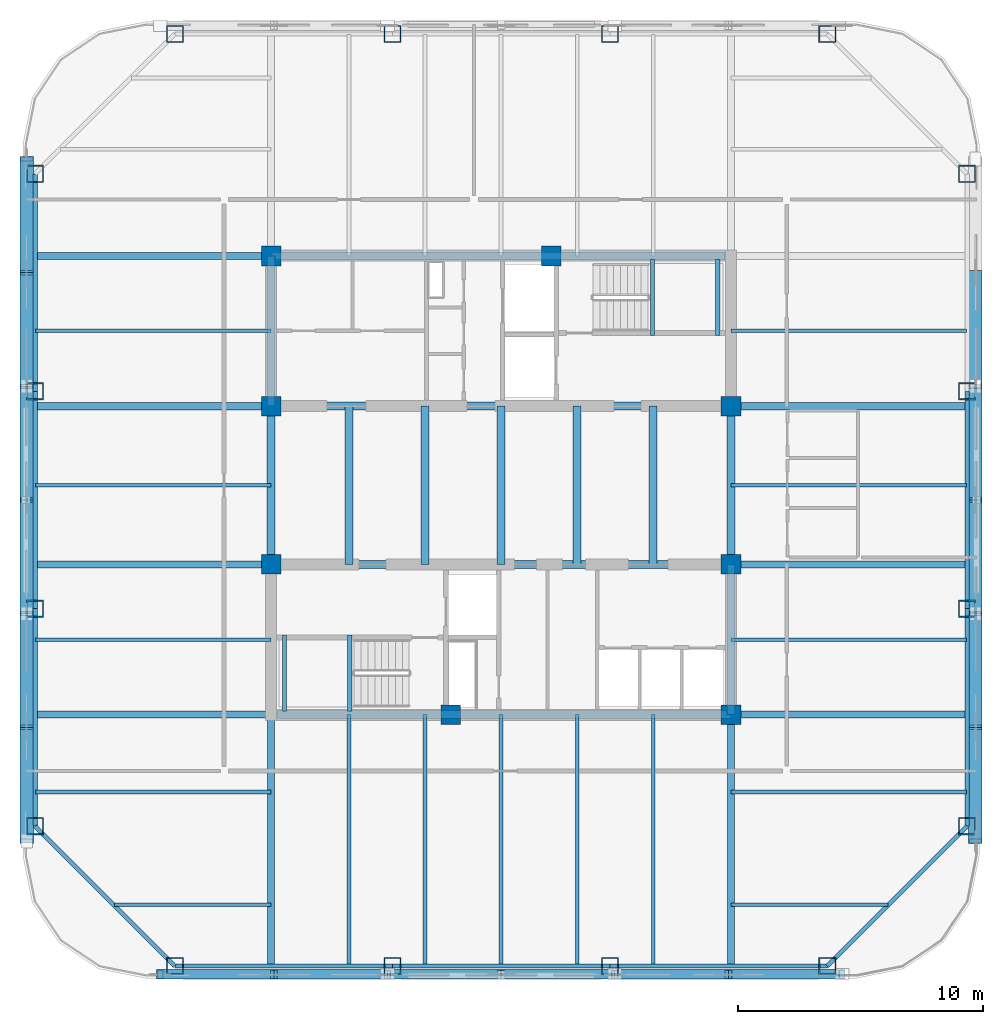
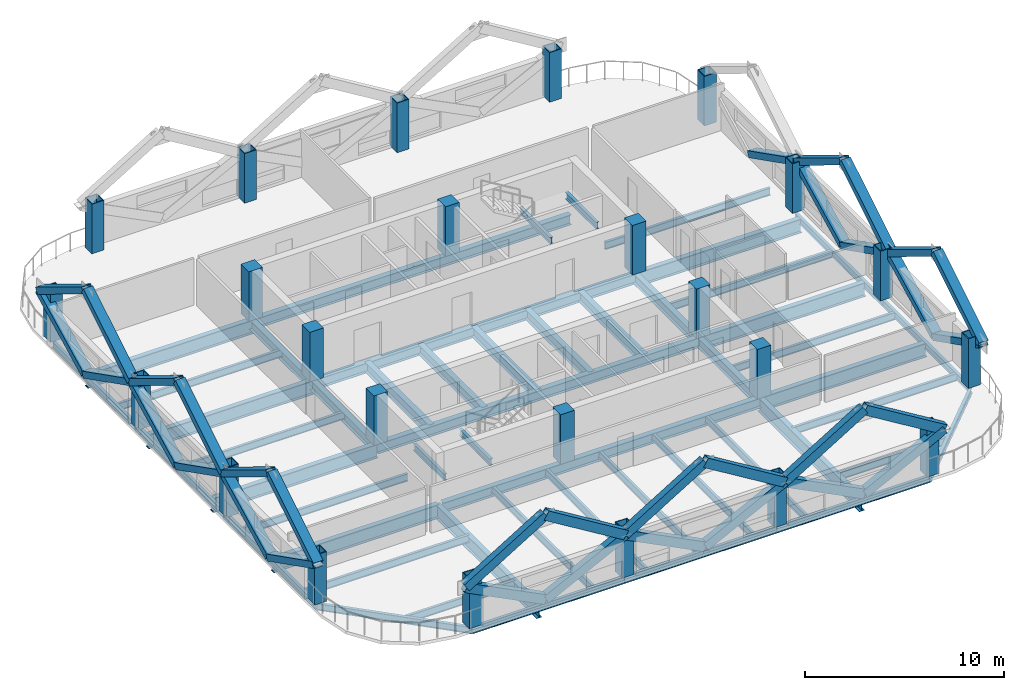
# One storey, part 1 of 9: 51 beams, 33 members, 24 columns.
"""IFC4 building model written with IfcOpenShell, lengths in metres."""

import ifcopenshell
import ifcopenshell.guid

model = None  # the IFC model being written
_history = None  # IfcOwnerHistory: only IFC2X3 demands one
_inside = {}  # id of a spatial element -> (the spatial element, [elements in it])
_under = {}  # id of a project, library or spatial element -> (it, [spatial elements below it])
_declared = {}  # id of a project -> (the project, [libraries it declares])
_typed = {}  # id of a type object -> (the type object, [elements of that type])
_made_of = {}  # id of a material, layer set ... -> (it, [elements and type objects made of it])


def new_model(schema):
    """Start an empty IFC model of exactly this schema.

    Asked for "IFC4X3", IfcOpenShell would pick the latest addendum, in which some entities
    have other attributes; the version numbers below select the first issue.
    IFC2X3 requires an IfcOwnerHistory on every rooted entity: one is made here for all.
    """
    global model, _history
    if schema == "IFC4X3":
        model = ifcopenshell.file(schema_version=(4, 3, 0, 0))
    else:
        model = ifcopenshell.file(schema=schema)
    _inside.clear()
    _under.clear()
    _declared.clear()
    _typed.clear()
    _made_of.clear()
    _history = None
    if model.schema == "IFC2X3":
        org = make("IfcOrganization", Name="unknown")
        user = make(
            "IfcPersonAndOrganization",
            ThePerson=make("IfcPerson", FamilyName="unknown"),
            TheOrganization=org,
        )
        app = make(
            "IfcApplication",
            ApplicationDeveloper=org,
            Version="unknown",
            ApplicationFullName="unknown",
            ApplicationIdentifier="unknown",
        )
        _history = make(
            "IfcOwnerHistory",
            OwningUser=user,
            OwningApplication=app,
            ChangeAction="ADDED",
            CreationDate=0,
        )
    return model


def make(cls, **values):
    """One entity of the class cls with the attributes given. An attribute that is None is left unset."""
    return model.create_entity(
        cls, **{name: value for name, value in values.items() if value is not None}
    )


def rooted(cls, **values):
    """An entity with a GlobalId (a new one), such as an element, a storey or a relation."""
    return make(cls, GlobalId=ifcopenshell.guid.new(), OwnerHistory=_history, **values)


def si_unit(unit_type, name, prefix=None):
    """IfcSIUnit, for example si_unit("LENGTHUNIT", "METRE", prefix="MILLI")."""
    return make("IfcSIUnit", UnitType=unit_type, Prefix=prefix, Name=name)


def assignment(units):
    """IfcUnitAssignment: the units of a project."""
    return None if units is None else make("IfcUnitAssignment", Units=units)


def point(xyz):
    """IfcCartesianPoint."""
    return None if xyz is None else make("IfcCartesianPoint", Coordinates=xyz)


def direction(xyz):
    """IfcDirection."""
    return None if xyz is None else make("IfcDirection", DirectionRatios=xyz)


def frame(location, z_axis=None, x_axis=None):
    """IfcAxis2Placement3D, a coordinate frame: its origin and axes. An axis left out is left unset."""
    return make(
        "IfcAxis2Placement3D",
        Location=point(location),
        Axis=direction(z_axis),
        RefDirection=direction(x_axis),
    )


def frame_2d(location, x_axis=None):
    """IfcAxis2Placement2D, a coordinate frame in the plane: its origin and x axis."""
    return make(
        "IfcAxis2Placement2D", Location=point(location), RefDirection=direction(x_axis)
    )


def origin():
    """The frame at (0, 0, 0) with its axes left unset."""
    return frame((0.0, 0.0, 0.0))


def origin_2d():
    """The frame at (0, 0) in the plane with its x axis left unset."""
    return frame_2d((0.0, 0.0))


def place(relative_to, where):
    """IfcLocalPlacement: puts the frame where relative to a parent placement (None: the world)."""
    return make(
        "IfcLocalPlacement", PlacementRelTo=relative_to, RelativePlacement=where
    )


def context(
    kind, dimensions, precision=None, world=None, true_north=None, identifier=None
):
    """IfcGeometricRepresentationContext, for example the 3D "Model" context."""
    return make(
        "IfcGeometricRepresentationContext",
        ContextIdentifier=identifier,
        ContextType=kind,
        CoordinateSpaceDimension=dimensions,
        Precision=precision,
        WorldCoordinateSystem=world,
        TrueNorth=true_north,
    )


def subcontext(parent, identifier, kind, view, scale=None):
    """IfcGeometricRepresentationSubContext, for example "Body" below "Model"."""
    return make(
        "IfcGeometricRepresentationSubContext",
        ContextIdentifier=identifier,
        ContextType=kind,
        ParentContext=parent,
        TargetScale=scale,
        TargetView=view,
    )


def project(units=None, contexts=None):
    """IfcProject with its units and contexts."""
    return rooted(
        "IfcProject",
        Name="project",
        RepresentationContexts=contexts,
        UnitsInContext=assignment(units),
    )


def spatial(cls, under=None, at=None, **own):
    """A site, building, storey or space (cls), placed at a placement, below another one or the project."""
    s = rooted(cls, ObjectPlacement=at, **own)
    if under is not None:
        _under.setdefault(under.id(), (under, []))[1].append(s)
    return s


def profile(cls, at=None, kind="AREA", **sizes):
    """A parametric profile (cls). Its sizes go by their IFC names, for example OverallWidth=200.0."""
    return make(cls, ProfileType=kind, Position=at, **sizes)


def rectangle(**sizes):
    """IfcRectangleProfileDef."""
    return profile("IfcRectangleProfileDef", **sizes)


def hollow_rectangle(**sizes):
    """IfcRectangleHollowProfileDef."""
    return profile("IfcRectangleHollowProfileDef", **sizes)


def i_section(**sizes):
    """IfcIShapeProfileDef."""
    return profile("IfcIShapeProfileDef", **sizes)


def extrude(swept, where, along, depth):
    """IfcExtrudedAreaSolid: the profile swept, set in the frame where, extruded along a direction by depth."""
    return make(
        "IfcExtrudedAreaSolid",
        SweptArea=swept,
        Position=where,
        ExtrudedDirection=direction(along),
        Depth=depth,
    )


def shape(context_of_items, identifier, shape_type, items):
    """IfcShapeRepresentation: the items that make up one representation, for example the "Body"."""
    return make(
        "IfcShapeRepresentation",
        ContextOfItems=context_of_items,
        RepresentationIdentifier=identifier,
        RepresentationType=shape_type,
        Items=items,
    )


def material(Name=None, Category=None):
    """IfcMaterial."""
    return make("IfcMaterial", Name=Name, Category=Category)


def material_profile(
    of_material, cross_section, Name=None, Category=None, Priority=None
):
    """IfcMaterialProfile: a cross section and its material."""
    return make(
        "IfcMaterialProfile",
        Name=Name,
        Material=of_material,
        Profile=cross_section,
        Priority=Priority,
        Category=Category,
    )


def profile_set(profiles, Name=None, composite=None):
    """IfcMaterialProfileSet."""
    return make(
        "IfcMaterialProfileSet",
        Name=Name,
        MaterialProfiles=profiles,
        CompositeProfile=composite,
    )


def made_of(thing, what):
    """Note that an element or type object is made of a material, layer set ...; save() writes the relation."""
    if what is not None:
        _made_of.setdefault(what.id(), (what, []))[1].append(thing)
    return thing


def type_object(cls, material=None, **own):
    """A type object (cls), such as IfcWallType, which elements share."""
    return made_of(rooted(cls, **own), material)


def element(
    cls,
    number,
    at=None,
    inside=None,
    cuts=None,
    type_object=None,
    material=None,
    context=None,
    identifier="Body",
    shape_type=None,
    held_by="IfcProductDefinitionShape",
    body=None,
    shapes=None,
    **own,
):
    """One element of the class cls, such as IfcWall. Its Tag is "e" and its number.

    at: its placement. inside: the storey or other place that contains it. cuts: it is an
    opening in that element (IfcRelVoidsElement). A single representation is given by context,
    identifier, shape_type and body (its items); several are given by shapes. held_by: the class
    of the entity that holds the representations. save() writes the other relations.
    """
    e = rooted(cls, Tag="e%d" % number, ObjectPlacement=at, **own)
    if body is not None:
        shapes = [shape(context, identifier, shape_type, body)]
    if shapes is not None:
        e.Representation = make(held_by, Representations=shapes)
    if inside is not None:
        _inside.setdefault(inside.id(), (inside, []))[1].append(e)
    if cuts is not None:
        rooted(
            "IfcRelVoidsElement", RelatingBuildingElement=cuts, RelatedOpeningElement=e
        )
    if type_object is not None:
        _typed.setdefault(type_object.id(), (type_object, []))[1].append(e)
    return made_of(e, material)


def aggregate(whole, parts):
    """IfcRelAggregates: a whole, such as a stair, and the parts it consists of."""
    return rooted("IfcRelAggregates", RelatingObject=whole, RelatedObjects=parts)


def save(model, path):
    """Write the relations noted so far, then the file.

    IfcRelAggregates (storeys below a building ...), IfcRelContainedInSpatialStructure (elements
    in a storey), IfcRelDefinesByType, IfcRelAssociatesMaterial and IfcRelDeclares: one each for
    every whole, place, type object, material and project.
    """
    for whole, parts in _under.values():
        aggregate(whole, parts)
    for where, things in _inside.values():
        rooted(
            "IfcRelContainedInSpatialStructure",
            RelatedElements=things,
            RelatingStructure=where,
        )
    for kind, things in _typed.values():
        rooted("IfcRelDefinesByType", RelatedObjects=things, RelatingType=kind)
    for what, things in _made_of.values():
        rooted("IfcRelAssociatesMaterial", RelatedObjects=things, RelatingMaterial=what)
    for by, libraries in _declared.values():
        rooted("IfcRelDeclares", RelatingContext=by, RelatedDefinitions=libraries)
    model.write(path)


model = new_model("IFC4")

# Units and contexts
model_context = context("Model", 3, precision=1e-05, world=origin(), true_north=direction((0.0, 1.0)))
body_context = subcontext(model_context, "Body", "Model", "MODEL_VIEW")
ifc_project = project(units=[si_unit("LENGTHUNIT", "METRE"), si_unit("AREAUNIT", "SQUARE_METRE"), si_unit("VOLUMEUNIT", "CUBIC_METRE"), si_unit("PLANEANGLEUNIT", "RADIAN"), si_unit("MASSUNIT", "GRAM", prefix="KILO")], contexts=[model_context])

# Site, building, storey
site_placement = place(None, origin())
site = spatial("IfcSite", under=ifc_project, at=site_placement, CompositionType="ELEMENT")
building_placement = place(site_placement, origin())
building = spatial("IfcBuilding", under=site, at=building_placement, Name="Qhalaya Broadcast Tower", CompositionType="ELEMENT")
storey_placement = place(building_placement, frame((0.0, 0.0, 205.60009765625)))
storey = spatial("IfcBuildingStorey", under=building, at=storey_placement, Name="L60", CompositionType="ELEMENT", Elevation=205.60009765625)

# Columns
ifc_material_1 = material(Name="Concrete C50/60", Category="concrete")
ifc_material_profile_1 = material_profile(ifc_material_1, rectangle(XDim=0.800048828125, YDim=0.800048828125, at=origin_2d()), Name="RC-COL 800x800")
ifc_profile_set_1 = profile_set([ifc_material_profile_1], Name="Concrete C50/60")
column_type_1 = type_object("IfcColumnType", Name="RC Upper Column C10", PredefinedType="COLUMN", material=ifc_profile_set_1)
for number, where, z_axis, x_axis, name in (
    (1, (-9.375, 9.949951171875, 0.0), (0.0, 0.0, 1.0), (1.0, 0.0, 0.0), "L60 Column COL-CC1"),
    (2, (2.050048828125, 9.949951171875, 0.0), (0.0, 0.0, 1.0), (1.0, 0.0, 0.0), "L60 Column COL-CC2"),
    (3, (-9.375, 3.824951171875, 0.0), (0.0, 0.0, 1.0), (1.0, 0.0, 0.0), "L60 Column COL-CC3"),
    (4, (9.375, 3.824951171875, 0.0), (0.0, 0.0, 1.0), (1.0, 0.0, 0.0), "L60 Column COL-CC4"),
    (5, (-9.375, -2.625, 0.0), (0.0, 0.0, 1.0), (1.0, 0.0, 0.0), "L60 Column COL-CC5"),
    (6, (9.375, -2.625, 0.0), (0.0, 0.0, 1.0), (1.0, 0.0, 0.0), "L60 Column COL-CC6"),
    (7, (-2.050048828125, -8.75, 0.0), (0.0, 0.0, 1.0), (1.0, 0.0, 0.0), "L60 Column COL-CC7"),
    (8, (9.375, -8.75, 0.0), (0.0, 0.0, 1.0), (1.0, 0.0, 0.0), "L60 Column COL-CC8"),
):
    element("IfcColumn", number, at=place(storey_placement, frame(where, z_axis=z_axis, x_axis=x_axis)), inside=storey, type_object=column_type_1, Name=name, PredefinedType="COLUMN", context=body_context, shape_type="SweptSolid", body=[
        extrude(rectangle(XDim=0.800048828125, YDim=0.800048828125, at=origin_2d()), origin(), (0.0, 0.0, 1.0), 3.0498046875),
    ])
ifc_material_2 = material(Name="Structural Steel ASTM A572 Grade 50", Category="steel")
ifc_material_profile_2 = material_profile(ifc_material_2, hollow_rectangle(XDim=0.699951171875, YDim=0.699951171875, WallThickness=0.044921875, at=origin_2d()), Name="BOX 700x700x45")
ifc_profile_set_2 = profile_set([ifc_material_profile_2], Name="Structural Steel ASTM A572 Grade 50")
column_type_2 = type_object("IfcColumnType", Name="Steel Box Column C04", PredefinedType="COLUMN", material=ifc_profile_set_2)
for number, where, z_axis, x_axis, name in (
    (9, (-13.300048828125, -19.0, 0.0), (0.0, 0.0, 1.0), (1.0, 0.0, 0.0), "L60 Column COL-EX01"),
    (10, (-4.433349609375, -19.0, 0.0), (0.0, 0.0, 1.0), (1.0, 0.0, 0.0), "L60 Column COL-EX02"),
    (11, (4.433349609375, -19.0, 0.0), (0.0, 0.0, 1.0), (1.0, 0.0, 0.0), "L60 Column COL-EX03"),
    (12, (13.300048828125, -19.0, 0.0), (0.0, 0.0, 1.0), (1.0, 0.0, 0.0), "L60 Column COL-EX04"),
    (13, (19.0, -13.300048828125, 0.0), (0.0, 0.0, 1.0), (0.0, 1.0, 0.0), "L60 Column COL-EX05"),
    (14, (19.0, -4.433349609375, 0.0), (0.0, 0.0, 1.0), (0.0, 1.0, 0.0), "L60 Column COL-EX06"),
    (15, (19.0, 4.433349609375, 0.0), (0.0, 0.0, 1.0), (0.0, 1.0, 0.0), "L60 Column COL-EX07"),
    (16, (19.0, 13.300048828125, 0.0), (0.0, 0.0, 1.0), (0.0, 1.0, 0.0), "L60 Column COL-EX08"),
    (17, (13.300048828125, 19.0, 0.0), (0.0, 0.0, 1.0), (1.0, 0.0, 0.0), "L60 Column COL-EX09"),
    (18, (4.433349609375, 19.0, 0.0), (0.0, 0.0, 1.0), (1.0, 0.0, 0.0), "L60 Column COL-EX10"),
    (19, (-4.433349609375, 19.0, 0.0), (0.0, 0.0, 1.0), (1.0, 0.0, 0.0), "L60 Column COL-EX11"),
    (20, (-13.300048828125, 19.0, 0.0), (0.0, 0.0, 1.0), (1.0, 0.0, 0.0), "L60 Column COL-EX12"),
    (21, (-19.0, 13.300048828125, 0.0), (0.0, 0.0, 1.0), (0.0, 1.0, 0.0), "L60 Column COL-EX13"),
    (22, (-19.0, 4.433349609375, 0.0), (0.0, 0.0, 1.0), (0.0, 1.0, 0.0), "L60 Column COL-EX14"),
    (23, (-19.0, -4.433349609375, 0.0), (0.0, 0.0, 1.0), (0.0, 1.0, 0.0), "L60 Column COL-EX15"),
    (24, (-19.0, -13.300048828125, 0.0), (0.0, 0.0, 1.0), (0.0, 1.0, 0.0), "L60 Column COL-EX16"),
):
    element("IfcColumn", number, at=place(storey_placement, frame(where, z_axis=z_axis, x_axis=x_axis)), inside=storey, type_object=column_type_2, Name=name, PredefinedType="COLUMN", context=body_context, shape_type="SweptSolid", body=[
        extrude(hollow_rectangle(XDim=0.699951171875, YDim=0.699951171875, WallThickness=0.044921875, at=origin_2d()), origin(), (0.0, 0.0, 1.0), 3.0498046875),
    ])

# Beams
ifc_material_3 = material(Name="Structural Steel ASTM A992 Grade 50", Category="steel")
ifc_material_profile_3 = material_profile(ifc_material_3, i_section(OverallWidth=0.154052734375, OverallDepth=0.458984375, WebThickness=0.009033203125, FlangeThickness=0.015380859375, at=origin_2d()), Name="W18X46")
ifc_profile_set_3 = profile_set([ifc_material_profile_3], Name="Structural Steel ASTM A992 Grade 50")
beam_type_1 = type_object("IfcBeamType", Name="Composite Floor Joist J04", PredefinedType="JOIST", material=ifc_profile_set_3)
for number, where, z_axis, x_axis, name in (
    (25, (-6.199951171875, -18.97998046875, -0.419677734375), (0.0, 1.0, 0.0), (-1.0, 0.0, 0.0), "L60 J04 L60-JNS1-1"),
    (26, (-3.10009765625, -18.97998046875, -0.419677734375), (0.0, 1.0, 0.0), (-1.0, 0.0, 0.0), "L60 J04 L60-JNS2-1"),
    (27, (0.0, -18.97998046875, -0.419677734375), (0.0, 1.0, 0.0), (-1.0, 0.0, 0.0), "L60 J04 L60-JNS3-1"),
    (28, (3.10009765625, -18.97998046875, -0.419677734375), (0.0, 1.0, 0.0), (-1.0, 0.0, 0.0), "L60 J04 L60-JNS4-1"),
    (29, (6.199951171875, -18.97998046875, -0.419677734375), (0.0, 1.0, 0.0), (-1.0, 0.0, 0.0), "L60 J04 L60-JNS5-1"),
):
    element("IfcBeam", number, at=place(storey_placement, frame(where, z_axis=z_axis, x_axis=x_axis)), inside=storey, type_object=beam_type_1, Name=name, PredefinedType="JOIST", context=body_context, shape_type="SweptSolid", body=[
        extrude(i_section(OverallWidth=0.154052734375, OverallDepth=0.458984375, WebThickness=0.009033203125, FlangeThickness=0.015380859375, at=origin_2d()), origin(), (0.0, 0.0, 1.0), 10.22998046875),
    ])
for number, where, z_axis, x_axis, name in (
    (30, (-15.771728515625, -16.5, -0.419677734375), (1.0, 0.0, 0.0), (0.0, 1.0, 0.0), "L60 J04 L60-JWE1W-1"),
    (31, (9.375, -16.5, -0.419677734375), (1.0, 0.0, 0.0), (0.0, 1.0, 0.0), "L60 J04 L60-JWE1E-1"),
):
    element("IfcBeam", number, at=place(storey_placement, frame(where, z_axis=z_axis, x_axis=x_axis)), inside=storey, type_object=beam_type_1, Name=name, PredefinedType="JOIST", context=body_context, shape_type="SweptSolid", body=[
        extrude(i_section(OverallWidth=0.154052734375, OverallDepth=0.458984375, WebThickness=0.009033203125, FlangeThickness=0.015380859375, at=origin_2d()), origin(), (0.0, 0.0, 1.0), 6.396728515625),
    ])
for number, where, z_axis, x_axis, name in (
    (32, (-18.97998046875, -11.89990234375, -0.419677734375), (1.0, 0.0, 0.0), (0.0, 1.0, 0.0), "L60 J04 L60-JWE2W-1"),
    (33, (9.375, -11.89990234375, -0.419677734375), (1.0, 0.0, 0.0), (0.0, 1.0, 0.0), "L60 J04 L60-JWE2E-1"),
    (34, (-18.97998046875, -5.699951171875, -0.419677734375), (1.0, 0.0, 0.0), (0.0, 1.0, 0.0), "L60 J04 L60-JWE3W-1"),
    (35, (9.375, -5.699951171875, -0.419677734375), (1.0, 0.0, 0.0), (0.0, 1.0, 0.0), "L60 J04 L60-JWE3E-1"),
    (36, (-18.97998046875, 0.60009765625, -0.419677734375), (1.0, 0.0, 0.0), (0.0, 1.0, 0.0), "L60 J04 L60-JWE4W-1"),
    (37, (9.375, 0.60009765625, -0.419677734375), (1.0, 0.0, 0.0), (0.0, 1.0, 0.0), "L60 J04 L60-JWE4E-1"),
    (38, (-18.97998046875, 6.89990234375, -0.419677734375), (1.0, 0.0, 0.0), (0.0, 1.0, 0.0), "L60 J04 L60-JWE5W-1"),
    (39, (9.375, 6.89990234375, -0.419677734375), (1.0, 0.0, 0.0), (0.0, 1.0, 0.0), "L60 J04 L60-JWE5E-1"),
):
    element("IfcBeam", number, at=place(storey_placement, frame(where, z_axis=z_axis, x_axis=x_axis)), inside=storey, type_object=beam_type_1, Name=name, PredefinedType="JOIST", context=body_context, shape_type="SweptSolid", body=[
        extrude(i_section(OverallWidth=0.154052734375, OverallDepth=0.458984375, WebThickness=0.009033203125, FlangeThickness=0.015380859375, at=origin_2d()), origin(), (0.0, 0.0, 1.0), 9.60498046875),
    ])
ifc_material_profile_4 = material_profile(ifc_material_3, i_section(OverallWidth=0.323974609375, OverallDepth=0.612060546875, WebThickness=0.0126953125, FlangeThickness=0.01904296875, at=origin_2d()), Name="W24X104")
ifc_profile_set_4 = profile_set([ifc_material_profile_4], Name="Structural Steel ASTM A992 Grade 50")
beam_type_2 = type_object("IfcBeamType", Name="Core Frame Tie Beam B04", PredefinedType="BEAM", material=ifc_profile_set_4)
beam_1_placement = place(storey_placement, frame((-9.375, 3.824951171875, -0.49609375), z_axis=(1.0, 0.0, 0.0), x_axis=(0.0, 1.0, 0.0)))
element("IfcBeam", 40, at=beam_1_placement, inside=storey, type_object=beam_type_2, Name="L60 B04 L60-CCN1", PredefinedType="BEAM", context=body_context, shape_type="SweptSolid", body=[
    extrude(i_section(OverallWidth=0.323974609375, OverallDepth=0.612060546875, WebThickness=0.0126953125, FlangeThickness=0.01904296875, at=origin_2d()), origin(), (0.0, 0.0, 1.0), 18.75),
])
beam_2_placement = place(storey_placement, frame((-9.375, 3.824951171875, -0.49609375), z_axis=(0.0, 1.0, 0.0), x_axis=(-1.0, 0.0, 0.0)))
element("IfcBeam", 41, at=beam_2_placement, inside=storey, type_object=beam_type_2, Name="L60 B04 L60-CCN2", PredefinedType="BEAM", context=body_context, shape_type="SweptSolid", body=[
    extrude(i_section(OverallWidth=0.323974609375, OverallDepth=0.612060546875, WebThickness=0.0126953125, FlangeThickness=0.01904296875, at=origin_2d()), origin(), (0.0, 0.0, 1.0), 6.125),
])
beam_3_placement = place(storey_placement, frame((-9.375, 9.949951171875, -0.49609375), z_axis=(1.0, 0.0, 0.0), x_axis=(0.0, 1.0, 0.0)))
element("IfcBeam", 42, at=beam_3_placement, inside=storey, type_object=beam_type_2, Name="L60 B04 L60-CCN3", PredefinedType="BEAM", context=body_context, shape_type="SweptSolid", body=[
    extrude(i_section(OverallWidth=0.323974609375, OverallDepth=0.612060546875, WebThickness=0.0126953125, FlangeThickness=0.01904296875, at=origin_2d()), origin(), (0.0, 0.0, 1.0), 18.4951171875),
])
beam_4_placement = place(storey_placement, frame((-9.375, -2.625, -0.49609375), z_axis=(1.0, 0.0, 0.0), x_axis=(0.0, 1.0, 0.0)))
element("IfcBeam", 43, at=beam_4_placement, inside=storey, type_object=beam_type_2, Name="L60 B04 L60-CCS1", PredefinedType="BEAM", context=body_context, shape_type="SweptSolid", body=[
    extrude(i_section(OverallWidth=0.323974609375, OverallDepth=0.612060546875, WebThickness=0.0126953125, FlangeThickness=0.01904296875, at=origin_2d()), origin(), (0.0, 0.0, 1.0), 18.75),
])
beam_5_placement = place(storey_placement, frame((9.375, -8.75, -0.49609375), z_axis=(0.0, 1.0, 0.0), x_axis=(-1.0, 0.0, 0.0)))
element("IfcBeam", 44, at=beam_5_placement, inside=storey, type_object=beam_type_2, Name="L60 B04 L60-CCS2", PredefinedType="BEAM", context=body_context, shape_type="SweptSolid", body=[
    extrude(i_section(OverallWidth=0.323974609375, OverallDepth=0.612060546875, WebThickness=0.0126953125, FlangeThickness=0.01904296875, at=origin_2d()), origin(), (0.0, 0.0, 1.0), 6.125),
])
beam_6_placement = place(storey_placement, frame((-9.1201171875, -8.75, -0.49609375), z_axis=(1.0, 0.0, 0.0), x_axis=(0.0, 1.0, 0.0)))
element("IfcBeam", 45, at=beam_6_placement, inside=storey, type_object=beam_type_2, Name="L60 B04 L60-CCS3", PredefinedType="BEAM", context=body_context, shape_type="SweptSolid", body=[
    extrude(i_section(OverallWidth=0.323974609375, OverallDepth=0.612060546875, WebThickness=0.0126953125, FlangeThickness=0.01904296875, at=origin_2d()), origin(), (0.0, 0.0, 1.0), 18.4951171875),
])
for number, where, z_axis, x_axis, name in (
    (46, (-9.375, -2.625, -0.49609375), (0.0, 1.0, 0.0), (-1.0, 0.0, 0.0), "L60 B04 L60-CCW"),
    (47, (9.375, -2.625, -0.49609375), (0.0, 1.0, 0.0), (-1.0, 0.0, 0.0), "L60 B04 L60-CCE"),
    (48, (-6.199951171875, -2.625, -0.49609375), (0.0, 1.0, 0.0), (-1.0, 0.0, 0.0), "L60 B04 L60-JC1-1"),
    (49, (-3.10009765625, -2.625, -0.49609375), (0.0, 1.0, 0.0), (-1.0, 0.0, 0.0), "L60 B04 L60-JC2-1"),
    (50, (0.0, -2.625, -0.49609375), (0.0, 1.0, 0.0), (-1.0, 0.0, 0.0), "L60 B04 L60-JC3-1"),
    (51, (3.10009765625, -2.625, -0.49609375), (0.0, 1.0, 0.0), (-1.0, 0.0, 0.0), "L60 B04 L60-JC4-1"),
    (52, (6.199951171875, -2.625, -0.49609375), (0.0, 1.0, 0.0), (-1.0, 0.0, 0.0), "L60 B04 L60-JC5-1"),
):
    element("IfcBeam", number, at=place(storey_placement, frame(where, z_axis=z_axis, x_axis=x_axis)), inside=storey, type_object=beam_type_2, Name=name, PredefinedType="BEAM", context=body_context, shape_type="SweptSolid", body=[
        extrude(i_section(OverallWidth=0.323974609375, OverallDepth=0.612060546875, WebThickness=0.0126953125, FlangeThickness=0.01904296875, at=origin_2d()), origin(), (0.0, 0.0, 1.0), 6.449951171875),
    ])

# Members
ifc_material_profile_5 = material_profile(ifc_material_2, hollow_rectangle(XDim=0.3798828125, YDim=0.550048828125, WallThickness=0.02490234375, at=origin_2d()), Name="BOX 380x550x25")
ifc_profile_set_5 = profile_set([ifc_material_profile_5], Name="Structural Steel ASTM A572 Grade 50")
member_type = type_object("IfcMemberType", Name="Exoskeleton Diamond Diagonal Upper EX4", PredefinedType="BRACE", material=ifc_profile_set_5)
for number, where, z_axis, x_axis, name in (
    (53, (-9.2666015625, -19.340087890625, 0.35986328125), (-0.892235092116, 0.0, 0.451571190841), (0.0, -1.0, 0.0), "B5 Exoskeleton Diamond Brace S1-D1"),
    (54, (-9.2666015625, -19.340087890625, 0.35986328125), (0.892235092116, 0.0, 0.451571190841), (0.0, 1.0, 0.0), "B5 Exoskeleton Diamond Brace S1-D2"),
):
    element("IfcMember", number, at=place(storey_placement, frame(where, z_axis=z_axis, x_axis=x_axis)), inside=storey, type_object=member_type, Name=name, PredefinedType="BRACE", context=body_context, shape_type="SweptSolid", body=[
        extrude(hollow_rectangle(XDim=0.3798828125, YDim=0.550048828125, WallThickness=0.02490234375, at=origin_2d()), origin(), (0.0, 0.0, 1.0), 5.19287109375),
    ])
for number, where, z_axis, x_axis, name in (
    (55, (-13.89990234375, -19.340087890625, 2.704833984375), (0.853815197337, 0.0, 0.520576227652), (0.0, 1.0, 0.0), "B5 Exoskeleton Diamond Brace S1-D3"),
    (56, (-4.63330078125, -19.340087890625, 2.704833984375), (-0.853815197337, 0.0, 0.520576227652), (0.0, -1.0, 0.0), "B5 Exoskeleton Diamond Brace S1-D4"),
):
    element("IfcMember", number, at=place(storey_placement, frame(where, z_axis=z_axis, x_axis=x_axis)), inside=storey, type_object=member_type, Name=name, PredefinedType="BRACE", context=body_context, shape_type="SweptSolid", body=[
        extrude(hollow_rectangle(XDim=0.3798828125, YDim=0.550048828125, WallThickness=0.02490234375, at=origin_2d()), origin(), (0.0, 0.0, 1.0), 5.426513671875),
    ])
for number, where, z_axis, x_axis, name in (
    (57, (0.0, -19.340087890625, 0.35986328125), (-0.892235092116, 0.0, 0.451571190841), (0.0, -1.0, 0.0), "B5 Exoskeleton Diamond Brace S2-D1"),
    (58, (0.0, -19.340087890625, 0.35986328125), (0.892235092116, 0.0, 0.451571190841), (0.0, 1.0, 0.0), "B5 Exoskeleton Diamond Brace S2-D2"),
):
    element("IfcMember", number, at=place(storey_placement, frame(where, z_axis=z_axis, x_axis=x_axis)), inside=storey, type_object=member_type, Name=name, PredefinedType="BRACE", context=body_context, shape_type="SweptSolid", body=[
        extrude(hollow_rectangle(XDim=0.3798828125, YDim=0.550048828125, WallThickness=0.02490234375, at=origin_2d()), origin(), (0.0, 0.0, 1.0), 5.19287109375),
    ])
for number, where, z_axis, x_axis, name in (
    (59, (-4.63330078125, -19.340087890625, 2.704833984375), (0.853815197337, 0.0, 0.520576227652), (0.0, 1.0, 0.0), "B5 Exoskeleton Diamond Brace S2-D3"),
    (60, (4.63330078125, -19.340087890625, 2.704833984375), (-0.853815197337, 0.0, 0.520576227652), (0.0, -1.0, 0.0), "B5 Exoskeleton Diamond Brace S2-D4"),
):
    element("IfcMember", number, at=place(storey_placement, frame(where, z_axis=z_axis, x_axis=x_axis)), inside=storey, type_object=member_type, Name=name, PredefinedType="BRACE", context=body_context, shape_type="SweptSolid", body=[
        extrude(hollow_rectangle(XDim=0.3798828125, YDim=0.550048828125, WallThickness=0.02490234375, at=origin_2d()), origin(), (0.0, 0.0, 1.0), 5.426513671875),
    ])
for number, where, z_axis, x_axis, name in (
    (61, (9.2666015625, -19.340087890625, 0.35986328125), (-0.892235092116, 0.0, 0.451571190841), (0.0, -1.0, 0.0), "B5 Exoskeleton Diamond Brace S3-D1"),
    (62, (9.2666015625, -19.340087890625, 0.35986328125), (0.892235092116, 0.0, 0.451571190841), (0.0, 1.0, 0.0), "B5 Exoskeleton Diamond Brace S3-D2"),
):
    element("IfcMember", number, at=place(storey_placement, frame(where, z_axis=z_axis, x_axis=x_axis)), inside=storey, type_object=member_type, Name=name, PredefinedType="BRACE", context=body_context, shape_type="SweptSolid", body=[
        extrude(hollow_rectangle(XDim=0.3798828125, YDim=0.550048828125, WallThickness=0.02490234375, at=origin_2d()), origin(), (0.0, 0.0, 1.0), 5.19287109375),
    ])
for number, where, z_axis, x_axis, name in (
    (63, (4.63330078125, -19.340087890625, 2.704833984375), (0.853815197337, 0.0, 0.520576227652), (0.0, 1.0, 0.0), "B5 Exoskeleton Diamond Brace S3-D3"),
    (64, (13.89990234375, -19.340087890625, 2.704833984375), (-0.853815197337, 0.0, 0.520576227652), (0.0, -1.0, 0.0), "B5 Exoskeleton Diamond Brace S3-D4"),
):
    element("IfcMember", number, at=place(storey_placement, frame(where, z_axis=z_axis, x_axis=x_axis)), inside=storey, type_object=member_type, Name=name, PredefinedType="BRACE", context=body_context, shape_type="SweptSolid", body=[
        extrude(hollow_rectangle(XDim=0.3798828125, YDim=0.550048828125, WallThickness=0.02490234375, at=origin_2d()), origin(), (0.0, 0.0, 1.0), 5.426513671875),
    ])
for number, where, z_axis, x_axis, name in (
    (65, (19.340087890625, -9.2666015625, 0.35986328125), (0.0, -0.892235092116, 0.451571190841), (0.0, 0.451571190841, 0.892235092116), "B5 Exoskeleton Diamond Brace E1-D1"),
    (66, (19.340087890625, -9.2666015625, 0.35986328125), (0.0, 0.892235092116, 0.451571190841), (0.0, -0.451571190841, 0.892235092116), "B5 Exoskeleton Diamond Brace E1-D2"),
):
    element("IfcMember", number, at=place(storey_placement, frame(where, z_axis=z_axis, x_axis=x_axis)), inside=storey, type_object=member_type, Name=name, PredefinedType="BRACE", context=body_context, shape_type="SweptSolid", body=[
        extrude(hollow_rectangle(XDim=0.3798828125, YDim=0.550048828125, WallThickness=0.02490234375, at=origin_2d()), origin(), (0.0, 0.0, 1.0), 5.19287109375),
    ])
for number, where, z_axis, x_axis, name in (
    (67, (19.340087890625, -13.89990234375, 2.704833984375), (0.0, 0.853815197337, 0.520576227652), (0.0, -0.520576227652, 0.853815197337), "B5 Exoskeleton Diamond Brace E1-D3"),
    (68, (19.340087890625, -4.63330078125, 2.704833984375), (0.0, -0.853815197337, 0.520576227652), (0.0, 0.520576227652, 0.853815197337), "B5 Exoskeleton Diamond Brace E1-D4"),
):
    element("IfcMember", number, at=place(storey_placement, frame(where, z_axis=z_axis, x_axis=x_axis)), inside=storey, type_object=member_type, Name=name, PredefinedType="BRACE", context=body_context, shape_type="SweptSolid", body=[
        extrude(hollow_rectangle(XDim=0.3798828125, YDim=0.550048828125, WallThickness=0.02490234375, at=origin_2d()), origin(), (0.0, 0.0, 1.0), 5.426513671875),
    ])
for number, where, z_axis, x_axis, name in (
    (69, (19.340087890625, 0.0, 0.35986328125), (0.0, -0.892235092116, 0.451571190841), (0.0, 0.451571190841, 0.892235092116), "B5 Exoskeleton Diamond Brace E2-D1"),
    (70, (19.340087890625, 0.0, 0.35986328125), (0.0, 0.892235092116, 0.451571190841), (0.0, -0.451571190841, 0.892235092116), "B5 Exoskeleton Diamond Brace E2-D2"),
):
    element("IfcMember", number, at=place(storey_placement, frame(where, z_axis=z_axis, x_axis=x_axis)), inside=storey, type_object=member_type, Name=name, PredefinedType="BRACE", context=body_context, shape_type="SweptSolid", body=[
        extrude(hollow_rectangle(XDim=0.3798828125, YDim=0.550048828125, WallThickness=0.02490234375, at=origin_2d()), origin(), (0.0, 0.0, 1.0), 5.19287109375),
    ])
for number, where, z_axis, x_axis, name in (
    (71, (19.340087890625, -4.63330078125, 2.704833984375), (0.0, 0.853815197337, 0.520576227652), (0.0, -0.520576227652, 0.853815197337), "B5 Exoskeleton Diamond Brace E2-D3"),
    (72, (19.340087890625, 4.63330078125, 2.704833984375), (0.0, -0.853815197337, 0.520576227652), (0.0, 0.520576227652, 0.853815197337), "B5 Exoskeleton Diamond Brace E2-D4"),
):
    element("IfcMember", number, at=place(storey_placement, frame(where, z_axis=z_axis, x_axis=x_axis)), inside=storey, type_object=member_type, Name=name, PredefinedType="BRACE", context=body_context, shape_type="SweptSolid", body=[
        extrude(hollow_rectangle(XDim=0.3798828125, YDim=0.550048828125, WallThickness=0.02490234375, at=origin_2d()), origin(), (0.0, 0.0, 1.0), 5.426513671875),
    ])
for number, where, z_axis, x_axis, name in (
    (73, (19.340087890625, 9.2666015625, 0.35986328125), (0.0, -0.892235092116, 0.451571190841), (0.0, 0.451571190841, 0.892235092116), "B5 Exoskeleton Diamond Brace E3-D1"),
    (74, (-19.340087890625, 9.2666015625, 0.35986328125), (0.0, 0.892235092116, 0.451571190841), (0.0, -0.451571190841, 0.892235092116), "B5 Exoskeleton Diamond Brace W1-D1"),
    (75, (-19.340087890625, 9.2666015625, 0.35986328125), (0.0, -0.892235092116, 0.451571190841), (0.0, 0.451571190841, 0.892235092116), "B5 Exoskeleton Diamond Brace W1-D2"),
):
    element("IfcMember", number, at=place(storey_placement, frame(where, z_axis=z_axis, x_axis=x_axis)), inside=storey, type_object=member_type, Name=name, PredefinedType="BRACE", context=body_context, shape_type="SweptSolid", body=[
        extrude(hollow_rectangle(XDim=0.3798828125, YDim=0.550048828125, WallThickness=0.02490234375, at=origin_2d()), origin(), (0.0, 0.0, 1.0), 5.19287109375),
    ])
for number, where, z_axis, x_axis, name in (
    (76, (-19.340087890625, 13.89990234375, 2.704833984375), (0.0, -0.853815197337, 0.520576227652), (0.0, 0.520576227652, 0.853815197337), "B5 Exoskeleton Diamond Brace W1-D3"),
    (77, (-19.340087890625, 4.63330078125, 2.704833984375), (0.0, 0.853815197337, 0.520576227652), (0.0, -0.520576227652, 0.853815197337), "B5 Exoskeleton Diamond Brace W1-D4"),
):
    element("IfcMember", number, at=place(storey_placement, frame(where, z_axis=z_axis, x_axis=x_axis)), inside=storey, type_object=member_type, Name=name, PredefinedType="BRACE", context=body_context, shape_type="SweptSolid", body=[
        extrude(hollow_rectangle(XDim=0.3798828125, YDim=0.550048828125, WallThickness=0.02490234375, at=origin_2d()), origin(), (0.0, 0.0, 1.0), 5.426513671875),
    ])
for number, where, z_axis, x_axis, name in (
    (78, (-19.340087890625, 0.0, 0.35986328125), (0.0, 0.892235092116, 0.451571190841), (0.0, -0.451571190841, 0.892235092116), "B5 Exoskeleton Diamond Brace W2-D1"),
    (79, (-19.340087890625, 0.0, 0.35986328125), (0.0, -0.892235092116, 0.451571190841), (0.0, 0.451571190841, 0.892235092116), "B5 Exoskeleton Diamond Brace W2-D2"),
):
    element("IfcMember", number, at=place(storey_placement, frame(where, z_axis=z_axis, x_axis=x_axis)), inside=storey, type_object=member_type, Name=name, PredefinedType="BRACE", context=body_context, shape_type="SweptSolid", body=[
        extrude(hollow_rectangle(XDim=0.3798828125, YDim=0.550048828125, WallThickness=0.02490234375, at=origin_2d()), origin(), (0.0, 0.0, 1.0), 5.19287109375),
    ])
for number, where, z_axis, x_axis, name in (
    (80, (-19.340087890625, 4.63330078125, 2.704833984375), (0.0, -0.853815197337, 0.520576227652), (0.0, 0.520576227652, 0.853815197337), "B5 Exoskeleton Diamond Brace W2-D3"),
    (81, (-19.340087890625, -4.63330078125, 2.704833984375), (0.0, 0.853815197337, 0.520576227652), (0.0, -0.520576227652, 0.853815197337), "B5 Exoskeleton Diamond Brace W2-D4"),
):
    element("IfcMember", number, at=place(storey_placement, frame(where, z_axis=z_axis, x_axis=x_axis)), inside=storey, type_object=member_type, Name=name, PredefinedType="BRACE", context=body_context, shape_type="SweptSolid", body=[
        extrude(hollow_rectangle(XDim=0.3798828125, YDim=0.550048828125, WallThickness=0.02490234375, at=origin_2d()), origin(), (0.0, 0.0, 1.0), 5.426513671875),
    ])
for number, where, z_axis, x_axis, name in (
    (82, (-19.340087890625, -9.2666015625, 0.35986328125), (0.0, 0.892235092116, 0.451571190841), (0.0, -0.451571190841, 0.892235092116), "B5 Exoskeleton Diamond Brace W3-D1"),
    (83, (-19.340087890625, -9.2666015625, 0.35986328125), (0.0, -0.892235092116, 0.451571190841), (0.0, 0.451571190841, 0.892235092116), "B5 Exoskeleton Diamond Brace W3-D2"),
):
    element("IfcMember", number, at=place(storey_placement, frame(where, z_axis=z_axis, x_axis=x_axis)), inside=storey, type_object=member_type, Name=name, PredefinedType="BRACE", context=body_context, shape_type="SweptSolid", body=[
        extrude(hollow_rectangle(XDim=0.3798828125, YDim=0.550048828125, WallThickness=0.02490234375, at=origin_2d()), origin(), (0.0, 0.0, 1.0), 5.19287109375),
    ])
for number, where, z_axis, x_axis, name in (
    (84, (-19.340087890625, -4.63330078125, 2.704833984375), (0.0, -0.853815197337, 0.520576227652), (0.0, 0.520576227652, 0.853815197337), "B5 Exoskeleton Diamond Brace W3-D3"),
    (85, (-19.340087890625, -13.89990234375, 2.704833984375), (0.0, 0.853815197337, 0.520576227652), (0.0, -0.520576227652, 0.853815197337), "B5 Exoskeleton Diamond Brace W3-D4"),
):
    element("IfcMember", number, at=place(storey_placement, frame(where, z_axis=z_axis, x_axis=x_axis)), inside=storey, type_object=member_type, Name=name, PredefinedType="BRACE", context=body_context, shape_type="SweptSolid", body=[
        extrude(hollow_rectangle(XDim=0.3798828125, YDim=0.550048828125, WallThickness=0.02490234375, at=origin_2d()), origin(), (0.0, 0.0, 1.0), 5.426513671875),
    ])

# Beams
ifc_material_profile_6 = material_profile(ifc_material_3, i_section(OverallWidth=0.2919921875, OverallDepth=0.85888671875, WebThickness=0.01708984375, FlangeThickness=0.031005859375, at=origin_2d()), Name="W33X169")
ifc_profile_set_6 = profile_set([ifc_material_profile_6], Name="Structural Steel ASTM A992 Grade 50")
beam_type_3 = type_object("IfcBeamType", Name="Upper Block Primary Girder PG4", PredefinedType="USERDEFINED", material=ifc_profile_set_6)
for number, where, z_axis, x_axis, name in (
    (86, (-9.375, -18.97998046875, -0.61962890625), (0.0, 1.0, 0.0), (-1.0, 0.0, 0.0), "L60 PG4 L60-PGXS1-1"),
    (87, (9.375, -18.97998046875, -0.61962890625), (0.0, 1.0, 0.0), (-1.0, 0.0, 0.0), "L60 PG4 L60-PGXS2-1"),
):
    element("IfcBeam", number, at=place(storey_placement, frame(where, z_axis=z_axis, x_axis=x_axis)), inside=storey, type_object=beam_type_3, Name=name, ObjectType="GIRDER", PredefinedType="USERDEFINED", context=body_context, shape_type="SweptSolid", body=[
        extrude(i_section(OverallWidth=0.2919921875, OverallDepth=0.85888671875, WebThickness=0.01708984375, FlangeThickness=0.031005859375, at=origin_2d()), origin(), (0.0, 0.0, 1.0), 10.22998046875),
    ])
for number, where, z_axis, x_axis, name in (
    (88, (-18.97998046875, -8.75, -0.61962890625), (1.0, 0.0, 0.0), (0.0, 1.0, 0.0), "L60 PG4 L60-PGYW1-1"),
    (89, (9.375, -8.75, -0.61962890625), (1.0, 0.0, 0.0), (0.0, 1.0, 0.0), "L60 PG4 L60-PGYE1-1"),
    (90, (-18.97998046875, -2.625, -0.61962890625), (1.0, 0.0, 0.0), (0.0, 1.0, 0.0), "L60 PG4 L60-PGYW2-1"),
    (91, (9.375, -2.625, -0.61962890625), (1.0, 0.0, 0.0), (0.0, 1.0, 0.0), "L60 PG4 L60-PGYE2-1"),
    (92, (-18.97998046875, 3.824951171875, -0.61962890625), (1.0, 0.0, 0.0), (0.0, 1.0, 0.0), "L60 PG4 L60-PGYW3-1"),
    (93, (9.375, 3.824951171875, -0.61962890625), (1.0, 0.0, 0.0), (0.0, 1.0, 0.0), "L60 PG4 L60-PGYE3-1"),
    (94, (-18.97998046875, 9.949951171875, -0.61962890625), (1.0, 0.0, 0.0), (0.0, 1.0, 0.0), "L60 PG4 L60-PGYW4-1"),
):
    element("IfcBeam", number, at=place(storey_placement, frame(where, z_axis=z_axis, x_axis=x_axis)), inside=storey, type_object=beam_type_3, Name=name, ObjectType="GIRDER", PredefinedType="USERDEFINED", context=body_context, shape_type="SweptSolid", body=[
        extrude(i_section(OverallWidth=0.2919921875, OverallDepth=0.85888671875, WebThickness=0.01708984375, FlangeThickness=0.031005859375, at=origin_2d()), origin(), (0.0, 0.0, 1.0), 9.60498046875),
    ])
ifc_material_profile_7 = material_profile(ifc_material_3, i_section(OverallWidth=0.177978515625, OverallDepth=0.406005859375, WebThickness=0.0078125, FlangeThickness=0.0126953125, at=origin_2d()), Name="W16X40")
ifc_profile_set_7 = profile_set([ifc_material_profile_7], Name="Structural Steel ASTM A992 Grade 50")
beam_type_4 = type_object("IfcBeamType", Name="Upper Perimeter Spandrel Beam SP2", PredefinedType="SPANDREL", material=ifc_profile_set_7)
for number, where, z_axis, x_axis, name in (
    (95, (-13.300048828125, -19.0, -0.39306640625), (1.0, 0.0, 0.0), (0.0, 1.0, 0.0), "L60 SP2 L60-SPR-01"),
    (96, (-4.433349609375, -19.0, -0.39306640625), (1.0, 0.0, 0.0), (0.0, 1.0, 0.0), "L60 SP2 L60-SPR-02"),
    (97, (4.433349609375, -19.0, -0.39306640625), (1.0, 0.0, 0.0), (0.0, 1.0, 0.0), "L60 SP2 L60-SPR-03"),
):
    element("IfcBeam", number, at=place(storey_placement, frame(where, z_axis=z_axis, x_axis=x_axis)), inside=storey, type_object=beam_type_4, Name=name, PredefinedType="SPANDREL", context=body_context, shape_type="SweptSolid", body=[
        extrude(i_section(OverallWidth=0.177978515625, OverallDepth=0.406005859375, WebThickness=0.0078125, FlangeThickness=0.0126953125, at=origin_2d()), origin(), (0.0, 0.0, 1.0), 8.86669921875),
    ])
beam_7_placement = place(storey_placement, frame((13.300048828125, -19.0, -0.39306640625), z_axis=(0.707106781187, 0.707106781187, 0.0), x_axis=(-0.707106781187, 0.707106781187, 0.0)))
element("IfcBeam", 98, at=beam_7_placement, inside=storey, type_object=beam_type_4, Name="L60 SP2 L60-SPR-04", PredefinedType="SPANDREL", context=body_context, shape_type="SweptSolid", body=[
    extrude(i_section(OverallWidth=0.177978515625, OverallDepth=0.406005859375, WebThickness=0.0078125, FlangeThickness=0.0126953125, at=origin_2d()), origin(), (0.0, 0.0, 1.0), 8.06103515625),
])
for number, where, z_axis, x_axis, name in (
    (99, (19.0, -13.300048828125, -0.39306640625), (0.0, 1.0, 0.0), (-1.0, 0.0, 0.0), "L60 SP2 L60-SPR-05"),
    (100, (19.0, -4.433349609375, -0.39306640625), (0.0, 1.0, 0.0), (-1.0, 0.0, 0.0), "L60 SP2 L60-SPR-06"),
    (101, (-19.0, 13.300048828125, -0.39306640625), (0.0, -1.0, 0.0), (1.0, 0.0, 0.0), "L60 SP2 L60-SPR-13"),
    (102, (-19.0, 4.433349609375, -0.39306640625), (0.0, -1.0, 0.0), (1.0, 0.0, 0.0), "L60 SP2 L60-SPR-14"),
    (103, (-19.0, -4.433349609375, -0.39306640625), (0.0, -1.0, 0.0), (1.0, 0.0, 0.0), "L60 SP2 L60-SPR-15"),
):
    element("IfcBeam", number, at=place(storey_placement, frame(where, z_axis=z_axis, x_axis=x_axis)), inside=storey, type_object=beam_type_4, Name=name, PredefinedType="SPANDREL", context=body_context, shape_type="SweptSolid", body=[
        extrude(i_section(OverallWidth=0.177978515625, OverallDepth=0.406005859375, WebThickness=0.0078125, FlangeThickness=0.0126953125, at=origin_2d()), origin(), (0.0, 0.0, 1.0), 8.86669921875),
    ])
beam_8_placement = place(storey_placement, frame((-19.0, -13.300048828125, -0.39306640625), z_axis=(0.707106781187, -0.707106781187, 0.0), x_axis=(0.707106781187, 0.707106781187, 0.0)))
element("IfcBeam", 104, at=beam_8_placement, inside=storey, type_object=beam_type_4, Name="L60 SP2 L60-SPR-16", PredefinedType="SPANDREL", context=body_context, shape_type="SweptSolid", body=[
    extrude(i_section(OverallWidth=0.177978515625, OverallDepth=0.406005859375, WebThickness=0.0078125, FlangeThickness=0.0126953125, at=origin_2d()), origin(), (0.0, 0.0, 1.0), 8.06103515625),
])
for number, where, z_axis, x_axis, name in (
    (105, (6.175048828125, 6.699951171875, 1.121826171875), (0.0, 1.0, 0.0), (-1.0, 0.0, 0.0), "L60 ST-1 Half-Landing Bearer Beam 1"),
    (106, (8.830078125, 6.699951171875, 1.121826171875), (0.0, 1.0, 0.0), (-1.0, 0.0, 0.0), "L60 ST-1 Half-Landing Bearer Beam 2"),
    (107, (-8.830078125, -8.6201171875, 1.121826171875), (0.0, 1.0, 0.0), (-1.0, 0.0, 0.0), "L60 ST-2 Half-Landing Bearer Beam 1"),
    (108, (-6.175048828125, -8.6201171875, 1.121826171875), (0.0, 1.0, 0.0), (-1.0, 0.0, 0.0), "L60 ST-2 Half-Landing Bearer Beam 2"),
):
    element("IfcBeam", number, at=place(storey_placement, frame(where, z_axis=z_axis, x_axis=x_axis)), inside=storey, type_object=beam_type_4, Name=name, PredefinedType="SPANDREL", context=body_context, shape_type="SweptSolid", body=[
        extrude(i_section(OverallWidth=0.177978515625, OverallDepth=0.406005859375, WebThickness=0.0078125, FlangeThickness=0.0126953125, at=origin_2d()), origin(), (0.0, 0.0, 1.0), 3.1201171875),
    ])

save(model, "model.ifc")
